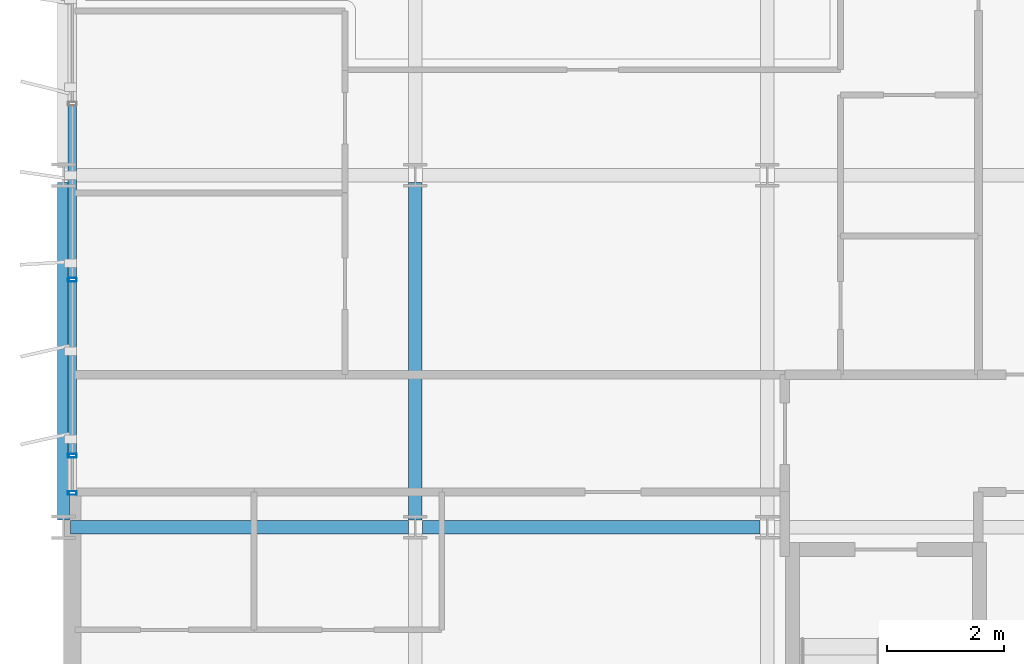
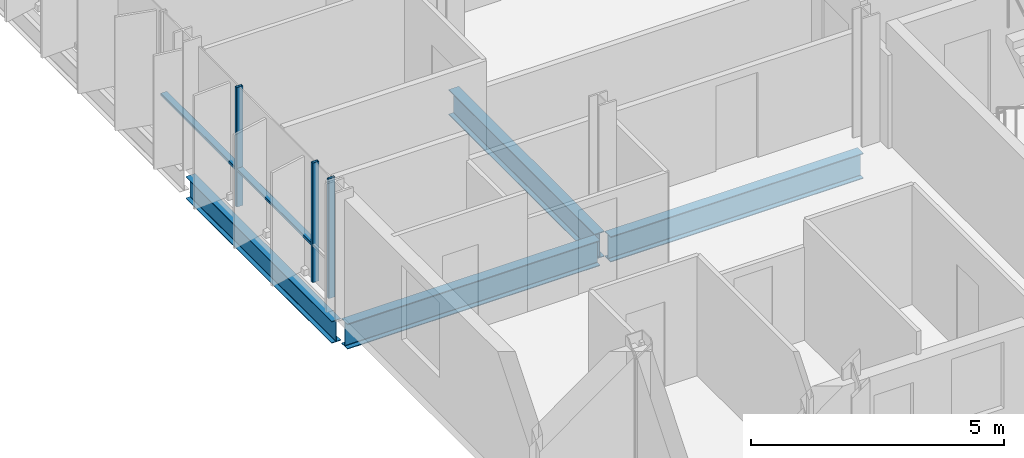
# One storey, part 4 of 40: 5 members, 4 beams, 1 element without a shape of its own.
"""IFC4 building model written with IfcOpenShell, lengths in metres."""

from ifc_helpers import new_model, si_unit, direction, frame, origin, origin_2d, place, context, subcontext, project, spatial, hollow_rectangle, i_section, extrude, material, layer, layer_set, material_profile, profile_set, type_object, element, aggregate, save


model = new_model("IFC4")

# Units and contexts
model_context = context("Model", 3, precision=1e-05, world=origin(), true_north=direction((0.0, 1.0)))
body_context = subcontext(model_context, "Body", "Model", "MODEL_VIEW")
ifc_project = project(units=[si_unit("LENGTHUNIT", "METRE"), si_unit("AREAUNIT", "SQUARE_METRE"), si_unit("VOLUMEUNIT", "CUBIC_METRE"), si_unit("PLANEANGLEUNIT", "RADIAN"), si_unit("MASSUNIT", "GRAM", prefix="KILO")], contexts=[model_context])

# Site, building, storey
site_placement = place(None, origin())
site = spatial("IfcSite", under=ifc_project, at=site_placement, CompositionType="ELEMENT")
building_placement = place(site_placement, origin())
building = spatial("IfcBuilding", under=site, at=building_placement, Name="Brevholm Reach", CompositionType="ELEMENT")
storey_placement = place(building_placement, frame((0.0, 0.0, 160.39990234375)))
storey = spatial("IfcBuildingStorey", under=building, at=storey_placement, Name="L48", CompositionType="ELEMENT", Elevation=160.39990234375)

# Beams
ifc_material_1 = material(Name="Structural Steel S355J2", Category="steel")
ifc_material_profile_1 = material_profile(ifc_material_1, i_section(OverallWidth=0.209228515625, OverallDepth=0.533203125, WebThickness=0.010009765625, FlangeThickness=0.015625, FilletRadius=0.0126953125, at=origin_2d()), Name="UKB 533x210x92")
ifc_profile_set_1 = profile_set([ifc_material_profile_1], Name="Structural Steel S355J2")
beam_type_1 = type_object("IfcBeamType", Name="BM-SP533", PredefinedType="SPANDREL", material=ifc_profile_set_1)
beam_placement = place(storey_placement, frame((0.0, 10.1201171875, -0.486572265625), z_axis=(0.0, 1.0, 0.0), x_axis=(-1.0, 0.0, 0.0)))
element("IfcBeam", 1, at=beam_placement, inside=storey, type_object=beam_type_1, Name="L48 SP-02 Framing Beam", PredefinedType="SPANDREL", context=body_context, shape_type="SweptSolid", body=[
    extrude(i_section(OverallWidth=0.209228515625, OverallDepth=0.533203125, WebThickness=0.010009765625, FlangeThickness=0.015625, FilletRadius=0.0126953125, at=origin_2d()), origin(), (0.0, 0.0, 1.0), 5.759765625),
])
ifc_material_2 = material(Name="Structural Steel S355J2", Category="steel")
ifc_material_profile_2 = material_profile(ifc_material_2, i_section(OverallWidth=0.22900390625, OverallDepth=0.6123046875, WebThickness=0.011962890625, FlangeThickness=0.01953125, FilletRadius=0.0126953125, at=origin_2d()), Name="UKB 610x229x125")
ifc_profile_set_2 = profile_set([ifc_material_profile_2], Name="Structural Steel S355J2")
beam_type_2 = type_object("IfcBeamType", Name="BM-SP610", PredefinedType="SPANDREL", material=ifc_profile_set_2)
for number, where, z_axis, x_axis, name in (
    (2, (0.1201171875, 10.0, -0.526123046875), (1.0, 0.0, 0.0), (0.0, 1.0, 0.0), "L48 SP-01 Framing Beam"),
    (3, (6.1201171875, 10.0, -0.526123046875), (1.0, 0.0, 0.0), (0.0, 1.0, 0.0), "L48 SP-01 Framing Beam"),
    (4, (6.0, 10.1201171875, -0.526123046875), (0.0, 1.0, 0.0), (-1.0, 0.0, 0.0), "L48 SP-01 Framing Beam"),
):
    element("IfcBeam", number, at=place(storey_placement, frame(where, z_axis=z_axis, x_axis=x_axis)), inside=storey, type_object=beam_type_2, Name=name, PredefinedType="SPANDREL", context=body_context, shape_type="SweptSolid", body=[
        extrude(i_section(OverallWidth=0.22900390625, OverallDepth=0.6123046875, WebThickness=0.011962890625, FlangeThickness=0.01953125, FilletRadius=0.0126953125, at=origin_2d()), origin(), (0.0, 0.0, 1.0), 5.759765625),
    ])

# Curtain wall, members
ifc_material_3 = material(Name="Dark Anodised Aluminium 6063-T6 and Solar-Control Glass", Category="aluminium")
ifc_layer = layer(ifc_material_3, 0.14990234375)
ifc_layer_set = layer_set([ifc_layer], Name="Dark Anodised Aluminium 6063-T6 and Solar-Control Glass")
curtain_wall_type = type_object("IfcCurtainWallType", Name="CW-01", PredefinedType="NOTDEFINED", material=ifc_layer_set)
curtain_wall_placement = place(storey_placement, origin())
curtain_wall = element("IfcCurtainWall", 5, at=curtain_wall_placement, inside=storey, type_object=curtain_wall_type, Name="L48 Curtain Wall CW-01", PredefinedType="NOTDEFINED")
ifc_material_4 = material(Name="Dark Anodised Aluminium 6063-T6", Category="aluminium")
ifc_material_profile_3 = material_profile(ifc_material_4, hollow_rectangle(XDim=0.06494140625, YDim=0.14990234375, WallThickness=0.0048828125, InnerFilletRadius=0.0048828125, OuterFilletRadius=0.010009765625, at=origin_2d()), Name="RHS 150x65x5")
ifc_profile_set_3 = profile_set([ifc_material_profile_3], Name="Dark Anodised Aluminium 6063-T6")
member_type_1 = type_object("IfcMemberType", Name="CWM-150", PredefinedType="MULLION", material=ifc_profile_set_3)
member_1_placement = place(storey_placement, frame((0.14990234375, 14.219970703125, 0.0), z_axis=(0.0, 0.0, 1.0), x_axis=(0.0, -1.0, 0.0)))
member_1 = element("IfcMember", 6, at=member_1_placement, type_object=member_type_1, Name="CM-150 Mullion 4", PredefinedType="MULLION", context=body_context, shape_type="SweptSolid", body=[
    extrude(hollow_rectangle(XDim=0.06494140625, YDim=0.14990234375, WallThickness=0.0048828125, InnerFilletRadius=0.0048828125, OuterFilletRadius=0.010009765625, at=origin_2d()), origin(), (0.0, 0.0, 1.0), 2.880126953125),
])
member_2_placement = place(storey_placement, frame((0.14990234375, 11.219970703125, 0.0), z_axis=(0.0, 0.0, 1.0), x_axis=(0.0, -1.0, 0.0)))
member_2 = element("IfcMember", 7, at=member_2_placement, type_object=member_type_1, Name="CM-150 Mullion 5", PredefinedType="MULLION", context=body_context, shape_type="SweptSolid", body=[
    extrude(hollow_rectangle(XDim=0.06494140625, YDim=0.14990234375, WallThickness=0.0048828125, InnerFilletRadius=0.0048828125, OuterFilletRadius=0.010009765625, at=origin_2d()), origin(), (0.0, 0.0, 1.0), 2.880126953125),
])
member_3_placement = place(storey_placement, frame((0.14990234375, 10.58251953125, 0.0), z_axis=(0.0, 0.0, 1.0), x_axis=(0.0, -1.0, 0.0)))
member_3 = element("IfcMember", 8, at=member_3_placement, type_object=member_type_1, Name="CM-150 Mullion 6", PredefinedType="MULLION", context=body_context, shape_type="SweptSolid", body=[
    extrude(hollow_rectangle(XDim=0.06494140625, YDim=0.14990234375, WallThickness=0.0048828125, InnerFilletRadius=0.0048828125, OuterFilletRadius=0.010009765625, at=origin_2d()), origin(), (0.0, 0.0, 1.0), 2.880126953125),
])
ifc_material_5 = material(Name="Dark Anodised Aluminium 6063-T6", Category="aluminium")
ifc_material_profile_4 = material_profile(ifc_material_5, hollow_rectangle(XDim=0.06494140625, YDim=0.14990234375, WallThickness=0.0048828125, InnerFilletRadius=0.0048828125, OuterFilletRadius=0.010009765625, at=origin_2d()), Name="RHS 150x65x5")
ifc_profile_set_4 = profile_set([ifc_material_profile_4], Name="Dark Anodised Aluminium 6063-T6")
member_type_2 = type_object("IfcMemberType", Name="CWT-150", PredefinedType="NOTDEFINED", material=ifc_profile_set_4)
member_4_placement = place(storey_placement, frame((0.14990234375, 17.1875, 0.900146484375), z_axis=(0.0, -1.0, 0.0), x_axis=(0.0, 0.0, 1.0)))
member_4 = element("IfcMember", 9, at=member_4_placement, type_object=member_type_2, Name="CT-150 Transom 3.1", ObjectType="TRANSOM", PredefinedType="USERDEFINED", context=body_context, shape_type="SweptSolid", body=[
    extrude(hollow_rectangle(XDim=0.06494140625, YDim=0.14990234375, WallThickness=0.0048828125, InnerFilletRadius=0.0048828125, OuterFilletRadius=0.010009765625, at=origin_2d()), origin(), (0.0, 0.0, 1.0), 2.93505859375),
])
member_5_placement = place(storey_placement, frame((0.14990234375, 14.1875, 0.900146484375), z_axis=(0.0, -1.0, 0.0), x_axis=(0.0, 0.0, 1.0)))
member_5 = element("IfcMember", 10, at=member_5_placement, type_object=member_type_2, Name="CT-150 Transom 4.1", ObjectType="TRANSOM", PredefinedType="USERDEFINED", context=body_context, shape_type="SweptSolid", body=[
    extrude(hollow_rectangle(XDim=0.06494140625, YDim=0.14990234375, WallThickness=0.0048828125, InnerFilletRadius=0.0048828125, OuterFilletRadius=0.010009765625, at=origin_2d()), origin(), (0.0, 0.0, 1.0), 2.93505859375),
])
aggregate(curtain_wall, [member_1, member_2, member_3, member_4, member_5])

save(model, "model.ifc")
